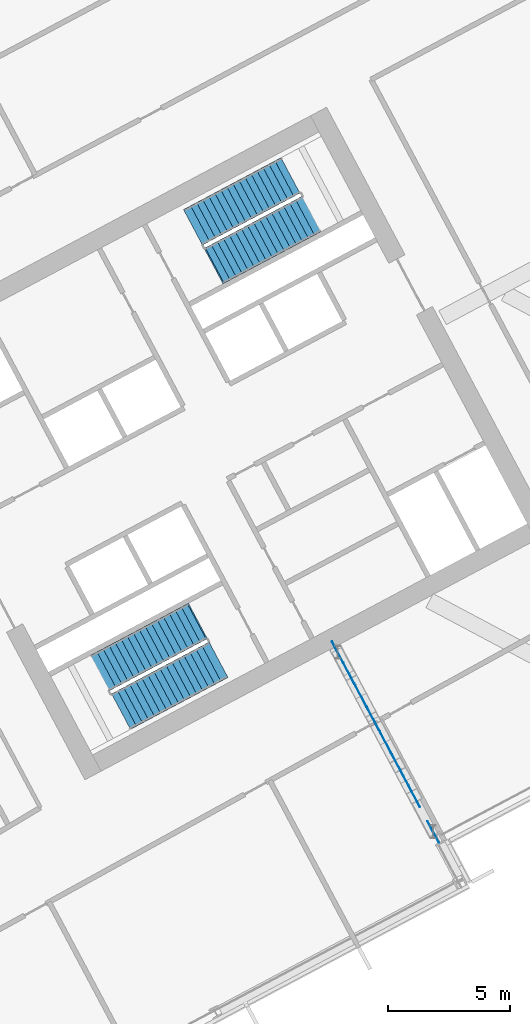
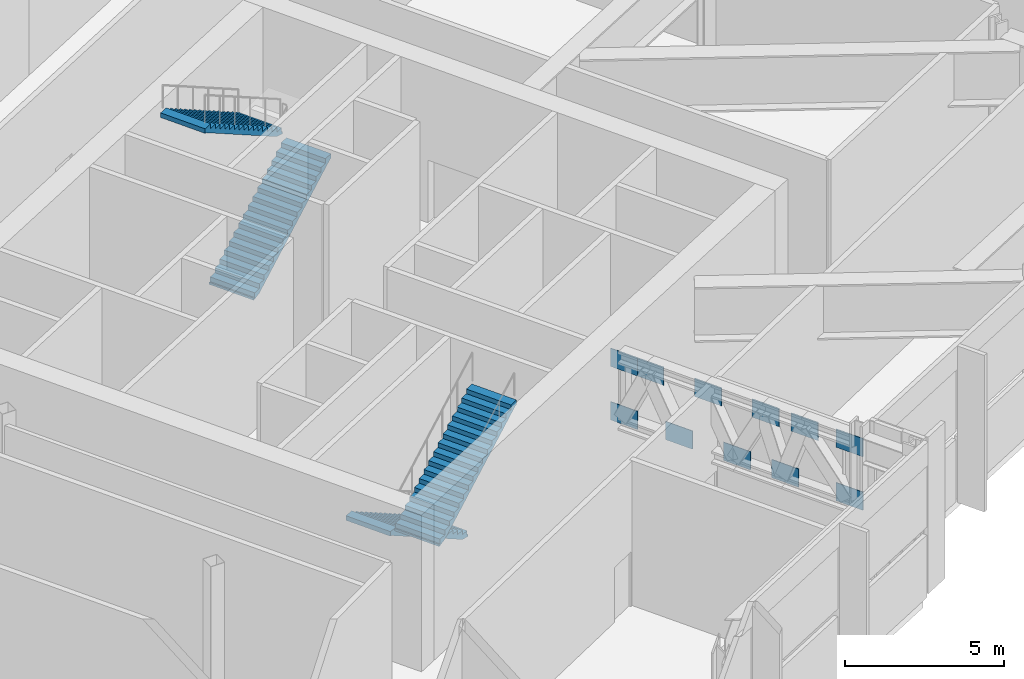
# One storey, part 19 of 33: 11 discrete accessories, 4 stair flights, 2 elements without a shape of their own.
"""IFC4 building model written with IfcOpenShell, lengths in metres."""

from ifc_helpers import new_model, si_unit, direction, frame, origin, origin_2d, place, context, subcontext, project, spatial, polyline, rectangle, outline, extrude, material, layer, layer_set, type_object, element, aggregate, save


model = new_model("IFC4")

# Units and contexts
model_context = context("Model", 3, precision=1e-05, world=origin(), true_north=direction((0.0, 1.0)))
body_context = subcontext(model_context, "Body", "Model", "MODEL_VIEW")
ifc_project = project(units=[si_unit("LENGTHUNIT", "METRE"), si_unit("AREAUNIT", "SQUARE_METRE"), si_unit("VOLUMEUNIT", "CUBIC_METRE"), si_unit("PLANEANGLEUNIT", "RADIAN"), si_unit("MASSUNIT", "GRAM", prefix="KILO")], contexts=[model_context])

# Site, building, storey
site_placement = place(None, origin())
site = spatial("IfcSite", under=ifc_project, at=site_placement, CompositionType="ELEMENT")
building_placement = place(site_placement, origin())
building = spatial("IfcBuilding", under=site, at=building_placement, Name="Cormorant Relay Tower", CompositionType="ELEMENT")
storey_placement = place(building_placement, frame((0.0, 0.0, 183.60009765625)))
storey = spatial("IfcBuildingStorey", under=building, at=storey_placement, Name="L39", CompositionType="ELEMENT", Elevation=183.60009765625)

# Stair, stair flights
ifc_material_1 = material(Name="Concrete 40 MPa", Category="concrete")
stair_type = type_object("IfcStairType", Name="Exit stair 1500", PredefinedType="HALF_TURN_STAIR", material=ifc_material_1)
stair_1_placement = place(storey_placement, origin())
stair_1 = element("IfcStair", 1, at=stair_1_placement, inside=storey, type_object=stair_type, Name="L39 Stair", PredefinedType="HALF_TURN_STAIR")
ifc_material_2 = material(Name="Concrete 40 MPa", Category="concrete")
stair_flight_type = type_object("IfcStairFlightType", Name="Exit stair flight 1650", PredefinedType="STRAIGHT", material=ifc_material_2)
stair_flight_1_placement = place(storey_placement, frame((23.474365234375, 5.374755859375, 0.0), z_axis=(0.0, 0.0, 1.0), x_axis=(-0.882947592859, -0.469471562786, 0.0)))
stair_flight_1 = element("IfcStairFlight", 2, at=stair_flight_1_placement, type_object=stair_flight_type, Name="B1 flight 1", NumberOfRisers=17, NumberOfTreads=16, PredefinedType="STRAIGHT", RiserHeight=0.176470588, TreadLength=0.28, context=body_context, shape_type="SweptSolid", body=[
    extrude(outline(polyline([(-0.050048828125, -0.080078125), (-0.050048828125, 0.0), (0.0, 0.0), (0.0, 0.176513671875), (0.280029296875, 0.176513671875), (0.280029296875, 0.35302734375), (0.56005859375, 0.35302734375), (0.56005859375, 0.529296875), (0.840087890625, 0.529296875), (0.840087890625, 0.705810546875), (1.1201171875, 0.705810546875), (1.1201171875, 0.88232421875), (1.39990234375, 0.88232421875), (1.39990234375, 1.058837890625), (1.679931640625, 1.058837890625), (1.679931640625, 1.2353515625), (1.9599609375, 1.2353515625), (1.9599609375, 1.411865234375), (2.239990234375, 1.411865234375), (2.239990234375, 1.588134765625), (2.52001953125, 1.588134765625), (2.52001953125, 1.7646484375), (2.800048828125, 1.7646484375), (2.800048828125, 1.941162109375), (3.080078125, 1.941162109375), (3.080078125, 2.11767578125), (3.360107421875, 2.11767578125), (3.360107421875, 2.294189453125), (3.639892578125, 2.294189453125), (3.639892578125, 2.470703125), (3.919921875, 2.470703125), (3.919921875, 2.64697265625), (4.199951171875, 2.64697265625), (4.199951171875, 2.823486328125), (4.47998046875, 2.823486328125), (4.530029296875, 2.823486328125), (4.530029296875, 2.646240234375), (4.47998046875, 2.646240234375), (0.28125, 0.0), (-0.050048828125, -0.080078125)])), frame((0.0, 0.824951171875, 0.0), z_axis=(0.0, -1.0, 0.0), x_axis=(1.0, 0.0, 0.0)), (0.0, 0.0, 1.0), 1.64990234375),
])
stair_flight_2_placement = place(storey_placement, frame((20.364013671875, 1.68212890625, 3.0), z_axis=(0.0, 0.0, 1.0), x_axis=(0.882947592859, 0.469471562786, 0.0)))
stair_flight_2 = element("IfcStairFlight", 3, at=stair_flight_2_placement, type_object=stair_flight_type, Name="B1 flight 2", NumberOfRisers=17, NumberOfTreads=16, PredefinedType="STRAIGHT", RiserHeight=0.176470588, TreadLength=0.28, context=body_context, shape_type="SweptSolid", body=[
    extrude(outline(polyline([(-0.050048828125, -0.080078125), (-0.050048828125, 0.0), (0.0, 0.0), (0.0, 0.176513671875), (0.280029296875, 0.176513671875), (0.280029296875, 0.35302734375), (0.56005859375, 0.35302734375), (0.56005859375, 0.529296875), (0.840087890625, 0.529296875), (0.840087890625, 0.705810546875), (1.1201171875, 0.705810546875), (1.1201171875, 0.88232421875), (1.39990234375, 0.88232421875), (1.39990234375, 1.058837890625), (1.679931640625, 1.058837890625), (1.679931640625, 1.2353515625), (1.9599609375, 1.2353515625), (1.9599609375, 1.411865234375), (2.239990234375, 1.411865234375), (2.239990234375, 1.588134765625), (2.52001953125, 1.588134765625), (2.52001953125, 1.7646484375), (2.800048828125, 1.7646484375), (2.800048828125, 1.941162109375), (3.080078125, 1.941162109375), (3.080078125, 2.11767578125), (3.360107421875, 2.11767578125), (3.360107421875, 2.294189453125), (3.639892578125, 2.294189453125), (3.639892578125, 2.470703125), (3.919921875, 2.470703125), (3.919921875, 2.64697265625), (4.199951171875, 2.64697265625), (4.199951171875, 2.823486328125), (4.47998046875, 2.823486328125), (4.530029296875, 2.823486328125), (4.530029296875, 2.646240234375), (4.47998046875, 2.646240234375), (0.28125, 0.0), (-0.050048828125, -0.080078125)])), frame((0.0, 0.824951171875, 0.0), z_axis=(0.0, -1.0, 0.0), x_axis=(1.0, 0.0, 0.0)), (0.0, 0.0, 1.0), 1.64990234375),
])
aggregate(stair_1, [stair_flight_1, stair_flight_2])

stair_2_placement = place(storey_placement, origin())
stair_2 = element("IfcStair", 4, at=stair_2_placement, inside=storey, type_object=stair_type, Name="L39 Stair", PredefinedType="HALF_TURN_STAIR")
stair_flight_3_placement = place(storey_placement, frame((24.20458984375, 19.976806640625, 0.0), z_axis=(0.0, 0.0, 1.0), x_axis=(0.882947592859, 0.469471562786, 0.0)))
stair_flight_3 = element("IfcStairFlight", 5, at=stair_flight_3_placement, type_object=stair_flight_type, Name="B2 flight 1", NumberOfRisers=17, NumberOfTreads=16, PredefinedType="STRAIGHT", RiserHeight=0.176470588, TreadLength=0.28, context=body_context, shape_type="SweptSolid", body=[
    extrude(outline(polyline([(-0.050048828125, -0.080078125), (-0.050048828125, 0.0), (0.0, 0.0), (0.0, 0.176513671875), (0.280029296875, 0.176513671875), (0.280029296875, 0.35302734375), (0.56005859375, 0.35302734375), (0.56005859375, 0.529296875), (0.840087890625, 0.529296875), (0.840087890625, 0.705810546875), (1.1201171875, 0.705810546875), (1.1201171875, 0.88232421875), (1.39990234375, 0.88232421875), (1.39990234375, 1.058837890625), (1.679931640625, 1.058837890625), (1.679931640625, 1.2353515625), (1.9599609375, 1.2353515625), (1.9599609375, 1.411865234375), (2.239990234375, 1.411865234375), (2.239990234375, 1.588134765625), (2.52001953125, 1.588134765625), (2.52001953125, 1.7646484375), (2.800048828125, 1.7646484375), (2.800048828125, 1.941162109375), (3.080078125, 1.941162109375), (3.080078125, 2.11767578125), (3.360107421875, 2.11767578125), (3.360107421875, 2.294189453125), (3.639892578125, 2.294189453125), (3.639892578125, 2.470703125), (3.919921875, 2.470703125), (3.919921875, 2.64697265625), (4.199951171875, 2.64697265625), (4.199951171875, 2.823486328125), (4.47998046875, 2.823486328125), (4.530029296875, 2.823486328125), (4.530029296875, 2.646240234375), (4.47998046875, 2.646240234375), (0.28125, 0.0), (-0.050048828125, -0.080078125)])), frame((0.0, 0.824951171875, 0.0), z_axis=(0.0, -1.0, 0.0), x_axis=(1.0, 0.0, 0.0)), (0.0, 0.0, 1.0), 1.64990234375),
])
stair_flight_4_placement = place(storey_placement, frame((27.315185546875, 23.669189453125, 3.0), z_axis=(0.0, 0.0, 1.0), x_axis=(-0.882947592859, -0.469471562786, 0.0)))
stair_flight_4 = element("IfcStairFlight", 6, at=stair_flight_4_placement, type_object=stair_flight_type, Name="B2 flight 2", NumberOfRisers=17, NumberOfTreads=16, PredefinedType="STRAIGHT", RiserHeight=0.176470588, TreadLength=0.28, context=body_context, shape_type="SweptSolid", body=[
    extrude(outline(polyline([(-0.050048828125, -0.080078125), (-0.050048828125, 0.0), (0.0, 0.0), (0.0, 0.176513671875), (0.280029296875, 0.176513671875), (0.280029296875, 0.35302734375), (0.56005859375, 0.35302734375), (0.56005859375, 0.529296875), (0.840087890625, 0.529296875), (0.840087890625, 0.705810546875), (1.1201171875, 0.705810546875), (1.1201171875, 0.88232421875), (1.39990234375, 0.88232421875), (1.39990234375, 1.058837890625), (1.679931640625, 1.058837890625), (1.679931640625, 1.2353515625), (1.9599609375, 1.2353515625), (1.9599609375, 1.411865234375), (2.239990234375, 1.411865234375), (2.239990234375, 1.588134765625), (2.52001953125, 1.588134765625), (2.52001953125, 1.7646484375), (2.800048828125, 1.7646484375), (2.800048828125, 1.941162109375), (3.080078125, 1.941162109375), (3.080078125, 2.11767578125), (3.360107421875, 2.11767578125), (3.360107421875, 2.294189453125), (3.639892578125, 2.294189453125), (3.639892578125, 2.470703125), (3.919921875, 2.470703125), (3.919921875, 2.64697265625), (4.199951171875, 2.64697265625), (4.199951171875, 2.823486328125), (4.47998046875, 2.823486328125), (4.530029296875, 2.823486328125), (4.530029296875, 2.646240234375), (4.47998046875, 2.646240234375), (0.28125, 0.0), (-0.050048828125, -0.080078125)])), frame((0.0, 0.824951171875, 0.0), z_axis=(0.0, -1.0, 0.0), x_axis=(1.0, 0.0, 0.0)), (0.0, 0.0, 1.0), 1.64990234375),
])
aggregate(stair_2, [stair_flight_3, stair_flight_4])

# Discrete accessories
ifc_material_3 = material(Name="Steel ASTM A572 Grade 50 (Fy 345 MPa)", Category="steel")
ifc_layer = layer(ifc_material_3, 0.02490234375)
ifc_layer_set = layer_set([ifc_layer], Name="Gusset plate 25 truss node")
discrete_accessory_type = type_object("IfcDiscreteAccessoryType", Name="Gusset plate 25 truss node", PredefinedType="BRACKET", material=ifc_layer_set)
for number, where, z_axis, x_axis, name in (
    (7, (29.25390625, 4.1103515625, 2.6748046875), (0.0, 0.0, 1.0), (-0.46943611862, 0.882966437944, 0.0), "Gusset plate L39-02 N01"),
    (8, (30.20849609375, 2.3154296875, 2.6748046875), (0.0, 0.0, 1.0), (-0.469490055094, 0.882937760076, 0.0), "Gusset plate L39-02 N02"),
    (9, (31.2119140625, 0.427978515625, 2.6748046875), (0.0, 0.0, 1.0), (-0.469490055094, 0.882937760076, 0.0), "Gusset plate L39-02 N03"),
    (10, (32.052734375, -1.153076171875, 2.6748046875), (0.0, 0.0, 1.0), (-0.469468480715, 0.882949231618, 0.0), "Gusset plate L39-02 N04"),
    (11, (33.169921875, -3.25439453125, 2.6748046875), (0.0, 0.0, 1.0), (-0.469439200751, 0.882964799297, 0.0), "Gusset plate L39-02 N05"),
    (12, (29.25390625, 4.1103515625, 4.72509765625), (0.0, 0.0, 1.0), (-0.469417625711, 0.882976269597, 0.0), "Gusset plate L39-02 N06"),
    (13, (29.70654296875, 3.259033203125, 4.72509765625), (0.0, 0.0, 1.0), (-0.469463857597, 0.882951689738, 0.0), "Gusset plate L39-02 N07"),
    (14, (30.710205078125, 1.37158203125, 4.72509765625), (0.0, 0.0, 1.0), (-0.469490055094, 0.882937760076, 0.0), "Gusset plate L39-02 N08"),
    (15, (31.7138671875, -0.515625, 4.72509765625), (0.0, 0.0, 1.0), (-0.469477726911, 0.882944315308, 0.0), "Gusset plate L39-02 N09"),
    (16, (32.3916015625, -1.79052734375, 4.72509765625), (0.0, 0.0, 1.0), (-0.469445364997, 0.882961521972, 0.0), "Gusset plate L39-02 N10"),
    (17, (33.169921875, -3.25439453125, 4.72509765625), (0.0, 0.0, 1.0), (-0.469471562786, 0.882947592859, 0.0), "Gusset plate L39-02 N11"),
):
    element("IfcDiscreteAccessory", number, at=place(storey_placement, frame(where, z_axis=z_axis, x_axis=x_axis)), inside=storey, type_object=discrete_accessory_type, Name=name, PredefinedType="BRACKET", context=body_context, shape_type="SweptSolid", body=[
        extrude(rectangle(XDim=1.0, YDim=0.02490234375, at=origin_2d()), origin(), (0.0, 0.0, 1.0), 0.699951171875),
    ])

save(model, "model.ifc")
